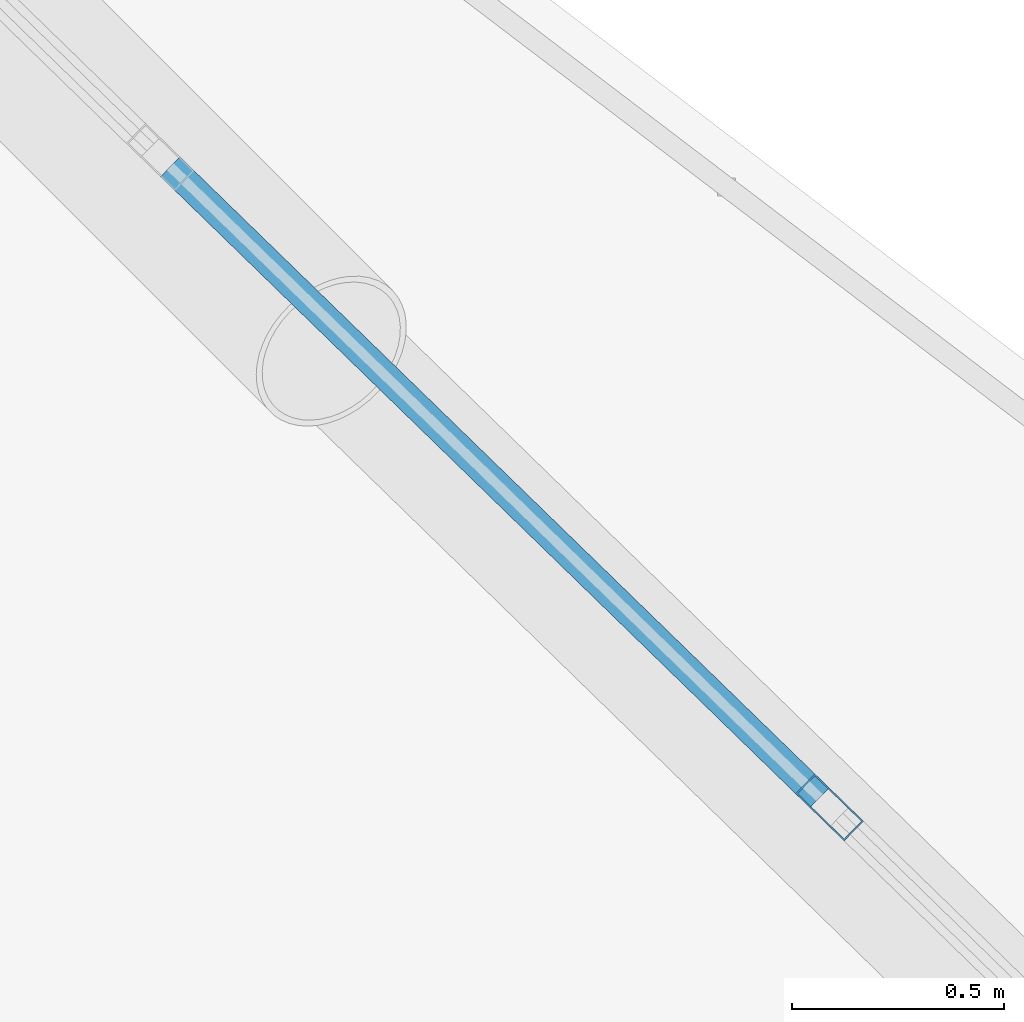
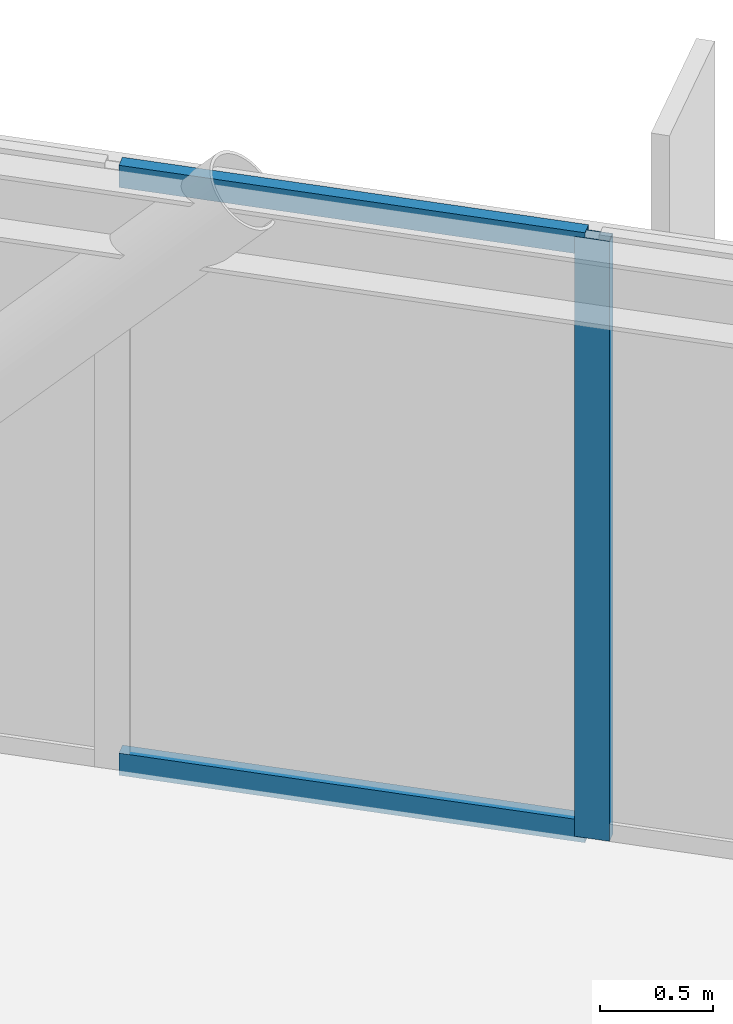
# One storey, part 15 of 28: 3 members, 1 element without a shape of its own.
"""IFC4 building model written with IfcOpenShell, lengths in metres."""

from ifc_helpers import new_model, si_unit, direction, frame, origin, origin_2d, place, context, subcontext, project, spatial, hollow_rectangle, extrude, material, layer, layer_set, material_profile, profile_set, type_object, element, aggregate, save


model = new_model("IFC4")

# Units and contexts
model_context = context("Model", 3, precision=1e-05, world=origin(), true_north=direction((0.0, 1.0)))
body_context = subcontext(model_context, "Body", "Model", "MODEL_VIEW")
ifc_project = project(units=[si_unit("LENGTHUNIT", "METRE"), si_unit("AREAUNIT", "SQUARE_METRE"), si_unit("VOLUMEUNIT", "CUBIC_METRE"), si_unit("PLANEANGLEUNIT", "RADIAN"), si_unit("MASSUNIT", "GRAM", prefix="KILO")], contexts=[model_context])

# Site, building, storey
site_placement = place(None, origin())
site = spatial("IfcSite", under=ifc_project, at=site_placement, CompositionType="ELEMENT")
building_placement = place(site_placement, origin())
building = spatial("IfcBuilding", under=site, at=building_placement, Name="Varnakorn Sky Granary", CompositionType="ELEMENT")
storey_placement = place(building_placement, frame((0.0, 0.0, 236.39990234375)))
storey = spatial("IfcBuildingStorey", under=building, at=storey_placement, Name="L60", CompositionType="ELEMENT", Elevation=236.39990234375)

# Curtain wall, members
ifc_material = material(Name="Anodised Bronze Aluminium Alloy 6063-T6", Category="aluminium")
ifc_layer = layer(ifc_material, 0.159912109375, Name="Anodised Bronze Aluminium Alloy 6063-T6")
ifc_layer_set = layer_set([ifc_layer], Name="Anodised Bronze Aluminium Alloy 6063-T6")
curtain_wall_type = type_object("IfcCurtainWallType", Name="CW-OFF-1", PredefinedType="USERDEFINED", material=ifc_layer_set)
curtain_wall_placement = place(storey_placement, origin())
curtain_wall = element("IfcCurtainWall", 1, at=curtain_wall_placement, inside=storey, type_object=curtain_wall_type, Name="Unitised Curtain Wall CW6 CW-L60-B02", ObjectType="CURTAIN WALL", PredefinedType="USERDEFINED")
ifc_material_profile_1 = material_profile(ifc_material, hollow_rectangle(XDim=0.06494140625, YDim=0.159912109375, WallThickness=0.00341796875, at=origin_2d()), Name="ALU MULL 65x160")
ifc_profile_set_1 = profile_set([ifc_material_profile_1], Name="Anodised Bronze Aluminium Alloy 6063-T6")
member_type_1 = type_object("IfcMemberType", Name="CW-OFF-1-MULL", PredefinedType="MULLION", material=ifc_profile_set_1)
member_1_placement = place(storey_placement, frame((17.52880859375, 12.32080078125, 0.0), z_axis=(0.0, 0.0, 1.0), x_axis=(0.69691520137, 0.717153541509, 0.0)))
member_1 = element("IfcMember", 2, at=member_1_placement, type_object=member_type_1, Name="CW6 mullion 3", PredefinedType="MULLION", context=body_context, shape_type="SweptSolid", body=[
    extrude(hollow_rectangle(XDim=0.06494140625, YDim=0.159912109375, WallThickness=0.00341796875, at=origin_2d()), origin(), (0.0, 0.0, 1.0), 3.25),
])
ifc_material_profile_2 = material_profile(ifc_material, hollow_rectangle(XDim=0.06494140625, YDim=0.1201171875, WallThickness=0.00341796875, at=origin_2d()), Name="ALU TRAN 65x120")
ifc_profile_set_2 = profile_set([ifc_material_profile_2], Name="Anodised Bronze Aluminium Alloy 6063-T6")
member_type_2 = type_object("IfcMemberType", Name="CW-OFF-1-TRAN", PredefinedType="USERDEFINED", material=ifc_profile_set_2)
member_2_placement = place(storey_placement, frame((15.97509765625, 13.83056640625, 0.03271484375), z_axis=(0.71716010082, -0.696908451514, 0.0), x_axis=(0.696908451514, 0.71716010082, 0.0)))
member_2 = element("IfcMember", 3, at=member_2_placement, type_object=member_type_2, Name="CW6 transom 2.1", ObjectType="TRANSOM", PredefinedType="USERDEFINED", context=body_context, shape_type="SweptSolid", body=[
    extrude(hollow_rectangle(XDim=0.06494140625, YDim=0.1201171875, WallThickness=0.00341796875, at=origin_2d()), origin(), (0.0, 0.0, 1.0), 2.1337890625),
])
member_3_placement = place(storey_placement, frame((15.97509765625, 13.83056640625, 3.217529296875), z_axis=(0.71716010082, -0.696908451514, 0.0), x_axis=(0.696908451514, 0.71716010082, 0.0)))
member_3 = element("IfcMember", 4, at=member_3_placement, type_object=member_type_2, Name="CW6 transom 2.2", ObjectType="TRANSOM", PredefinedType="USERDEFINED", context=body_context, shape_type="SweptSolid", body=[
    extrude(hollow_rectangle(XDim=0.06494140625, YDim=0.1201171875, WallThickness=0.00341796875, at=origin_2d()), origin(), (0.0, 0.0, 1.0), 2.1337890625),
])
aggregate(curtain_wall, [member_1, member_2, member_3])

save(model, "model.ifc")
